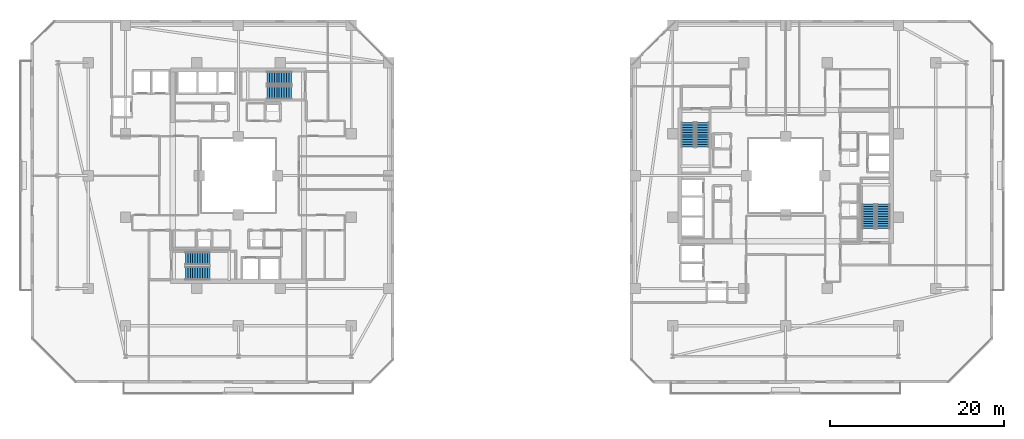
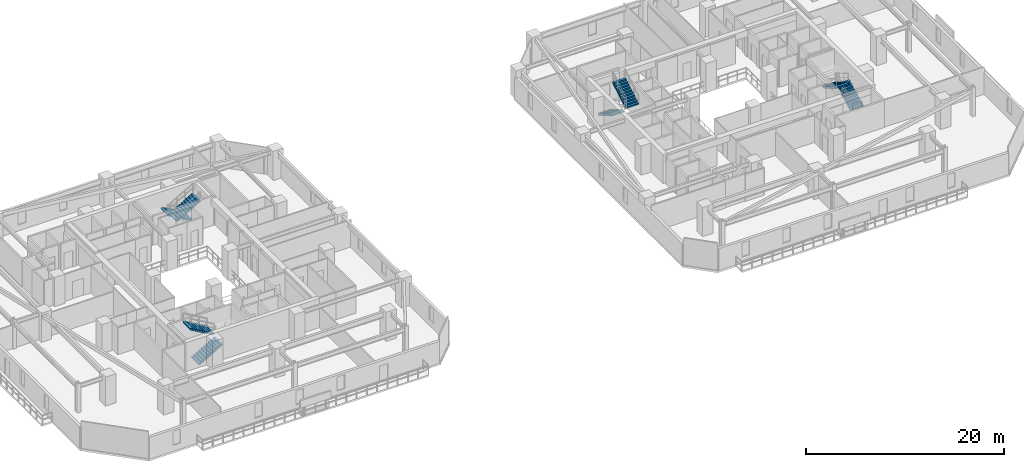
# One storey, part 26 of 33: 8 stair flights, 4 elements without a shape of their own.
"""IFC4 building model written with IfcOpenShell, lengths in metres."""

from ifc_helpers import new_model, si_unit, direction, frame, origin, place, context, subcontext, project, spatial, polyline, outline, extrude, material, type_object, element, aggregate, save


model = new_model("IFC4")

# Units and contexts
model_context = context("Model", 3, precision=1e-05, world=origin(), true_north=direction((0.0, 1.0)))
body_context = subcontext(model_context, "Body", "Model", "MODEL_VIEW")
ifc_project = project(units=[si_unit("LENGTHUNIT", "METRE"), si_unit("AREAUNIT", "SQUARE_METRE"), si_unit("VOLUMEUNIT", "CUBIC_METRE"), si_unit("PLANEANGLEUNIT", "RADIAN"), si_unit("MASSUNIT", "GRAM", prefix="KILO")], contexts=[model_context])

# Site, building, storey
site_placement = place(None, origin())
site = spatial("IfcSite", under=ifc_project, at=site_placement, CompositionType="ELEMENT")
building_placement = place(site_placement, origin())
building = spatial("IfcBuilding", under=site, at=building_placement, Name="Thornwick Lancets Civic Towers", CompositionType="ELEMENT")
storey_placement = place(building_placement, frame((0.0, 0.0, 134.10009765625)))
storey = spatial("IfcBuildingStorey", under=building, at=storey_placement, Name="L35", CompositionType="ELEMENT", Elevation=134.10009765625)

# Stair, stair flights
ifc_material = material(Name="Concrete C40/50", Category="concrete")
stair_type = type_object("IfcStairType", Name="STAIR_DL_3600", PredefinedType="HALF_TURN_STAIR", material=ifc_material)
stair_1_placement = place(storey_placement, origin())
stair_1 = element("IfcStair", 1, at=stair_1_placement, inside=storey, type_object=stair_type, Name="L35 Tower A South Exit Stair ST-A1", PredefinedType="HALF_TURN_STAIR")
stair_flight_type = type_object("IfcStairFlightType", Name="FLIGHT_3600", PredefinedType="STRAIGHT", material=ifc_material)
stair_flight_1_placement = place(storey_placement, frame((19.39990234375, 15.75, 0.0), z_axis=(0.0, 0.0, 1.0), x_axis=(1.0, 0.0, 0.0)))
stair_flight_1 = element("IfcStairFlight", 2, at=stair_flight_1_placement, type_object=stair_flight_type, Name="ST-A1 flight 1", NumberOfRisers=11, NumberOfTreads=10, PredefinedType="STRAIGHT", RiserHeight=0.163636364, TreadLength=0.28, context=body_context, shape_type="SweptSolid", body=[
    extrude(outline(polyline([(0.0, 0.0), (0.0, 0.16357421875), (0.280029296875, 0.16357421875), (0.280029296875, 0.327392578125), (0.56005859375, 0.327392578125), (0.56005859375, 0.490966796875), (0.840087890625, 0.490966796875), (0.840087890625, 0.654541015625), (1.1201171875, 0.654541015625), (1.1201171875, 0.818115234375), (1.39990234375, 0.818115234375), (1.39990234375, 0.98193359375), (1.679931640625, 0.98193359375), (1.679931640625, 1.1455078125), (1.9599609375, 1.1455078125), (1.9599609375, 1.30908203125), (2.239990234375, 1.30908203125), (2.239990234375, 1.47265625), (2.52001953125, 1.47265625), (2.52001953125, 1.636474609375), (2.800048828125, 1.636474609375), (2.800048828125, 1.800048828125), (2.800048828125, 1.462646484375), (0.297119140625, 0.0), (0.0, 0.0)])), frame((0.0, 0.75, 0.0), z_axis=(0.0, -1.0, 0.0), x_axis=(1.0, 0.0, 0.0)), (0.0, 0.0, 1.0), 1.5),
])
stair_flight_2_placement = place(storey_placement, frame((22.199951171875, 17.449951171875, 1.7998046875), z_axis=(0.0, 0.0, 1.0), x_axis=(-1.0, 0.0, 0.0)))
stair_flight_2 = element("IfcStairFlight", 3, at=stair_flight_2_placement, type_object=stair_flight_type, Name="ST-A1 flight 2", NumberOfRisers=11, NumberOfTreads=10, PredefinedType="STRAIGHT", RiserHeight=0.163636364, TreadLength=0.28, context=body_context, shape_type="SweptSolid", body=[
    extrude(outline(polyline([(0.0, 0.0), (0.0, 0.16357421875), (0.280029296875, 0.16357421875), (0.280029296875, 0.327392578125), (0.56005859375, 0.327392578125), (0.56005859375, 0.490966796875), (0.840087890625, 0.490966796875), (0.840087890625, 0.654541015625), (1.1201171875, 0.654541015625), (1.1201171875, 0.818115234375), (1.39990234375, 0.818115234375), (1.39990234375, 0.98193359375), (1.679931640625, 0.98193359375), (1.679931640625, 1.1455078125), (1.9599609375, 1.1455078125), (1.9599609375, 1.30908203125), (2.239990234375, 1.30908203125), (2.239990234375, 1.47265625), (2.52001953125, 1.47265625), (2.52001953125, 1.636474609375), (2.800048828125, 1.636474609375), (2.800048828125, 1.800048828125), (2.800048828125, 1.462646484375), (0.297119140625, 0.0), (0.0, 0.0)])), frame((0.0, 0.75, 0.0), z_axis=(0.0, -1.0, 0.0), x_axis=(1.0, 0.0, 0.0)), (0.0, 0.0, 1.0), 1.5),
])
aggregate(stair_1, [stair_flight_1, stair_flight_2])

stair_2_placement = place(storey_placement, origin())
stair_2 = element("IfcStair", 4, at=stair_2_placement, inside=storey, type_object=stair_type, Name="L35 Tower A North Exit Stair ST-A2", PredefinedType="HALF_TURN_STAIR")
stair_flight_3_placement = place(storey_placement, frame((31.60009765625, 38.25, 0.0), z_axis=(0.0, 0.0, 1.0), x_axis=(-1.0, 0.0, 0.0)))
stair_flight_3 = element("IfcStairFlight", 5, at=stair_flight_3_placement, type_object=stair_flight_type, Name="ST-A2 flight 1", NumberOfRisers=11, NumberOfTreads=10, PredefinedType="STRAIGHT", RiserHeight=0.163636364, TreadLength=0.28, context=body_context, shape_type="SweptSolid", body=[
    extrude(outline(polyline([(0.0, 0.0), (0.0, 0.16357421875), (0.280029296875, 0.16357421875), (0.280029296875, 0.327392578125), (0.56005859375, 0.327392578125), (0.56005859375, 0.490966796875), (0.840087890625, 0.490966796875), (0.840087890625, 0.654541015625), (1.1201171875, 0.654541015625), (1.1201171875, 0.818115234375), (1.39990234375, 0.818115234375), (1.39990234375, 0.98193359375), (1.679931640625, 0.98193359375), (1.679931640625, 1.1455078125), (1.9599609375, 1.1455078125), (1.9599609375, 1.30908203125), (2.239990234375, 1.30908203125), (2.239990234375, 1.47265625), (2.52001953125, 1.47265625), (2.52001953125, 1.636474609375), (2.800048828125, 1.636474609375), (2.800048828125, 1.800048828125), (2.800048828125, 1.462646484375), (0.297119140625, 0.0), (0.0, 0.0)])), frame((0.0, 0.75, 0.0), z_axis=(0.0, -1.0, 0.0), x_axis=(1.0, 0.0, 0.0)), (0.0, 0.0, 1.0), 1.5),
])
stair_flight_4_placement = place(storey_placement, frame((28.800048828125, 36.550048828125, 1.7998046875), z_axis=(0.0, 0.0, 1.0), x_axis=(1.0, 0.0, 0.0)))
stair_flight_4 = element("IfcStairFlight", 6, at=stair_flight_4_placement, type_object=stair_flight_type, Name="ST-A2 flight 2", NumberOfRisers=11, NumberOfTreads=10, PredefinedType="STRAIGHT", RiserHeight=0.163636364, TreadLength=0.28, context=body_context, shape_type="SweptSolid", body=[
    extrude(outline(polyline([(0.0, 0.0), (0.0, 0.16357421875), (0.280029296875, 0.16357421875), (0.280029296875, 0.327392578125), (0.56005859375, 0.327392578125), (0.56005859375, 0.490966796875), (0.840087890625, 0.490966796875), (0.840087890625, 0.654541015625), (1.1201171875, 0.654541015625), (1.1201171875, 0.818115234375), (1.39990234375, 0.818115234375), (1.39990234375, 0.98193359375), (1.679931640625, 0.98193359375), (1.679931640625, 1.1455078125), (1.9599609375, 1.1455078125), (1.9599609375, 1.30908203125), (2.239990234375, 1.30908203125), (2.239990234375, 1.47265625), (2.52001953125, 1.47265625), (2.52001953125, 1.636474609375), (2.800048828125, 1.636474609375), (2.800048828125, 1.800048828125), (2.800048828125, 1.462646484375), (0.297119140625, 0.0), (0.0, 0.0)])), frame((0.0, 0.75, 0.0), z_axis=(0.0, -1.0, 0.0), x_axis=(1.0, 0.0, 0.0)), (0.0, 0.0, 1.0), 1.5),
])
aggregate(stair_2, [stair_flight_3, stair_flight_4])

stair_3_placement = place(storey_placement, origin())
stair_3 = element("IfcStair", 7, at=stair_3_placement, inside=storey, type_object=stair_type, Name="L35 Tower B East Exit Stair ST-B1", PredefinedType="HALF_TURN_STAIR")
stair_flight_5_placement = place(storey_placement, frame((99.75, 20.89990234375, 0.0), z_axis=(0.0, 0.0, 1.0), x_axis=(0.0, 1.0, 0.0)))
stair_flight_5 = element("IfcStairFlight", 8, at=stair_flight_5_placement, type_object=stair_flight_type, Name="ST-B1 flight 1", NumberOfRisers=11, NumberOfTreads=10, PredefinedType="STRAIGHT", RiserHeight=0.163636364, TreadLength=0.28, context=body_context, shape_type="SweptSolid", body=[
    extrude(outline(polyline([(0.0, 0.0), (0.0, 0.16357421875), (0.280029296875, 0.16357421875), (0.280029296875, 0.327392578125), (0.56005859375, 0.327392578125), (0.56005859375, 0.490966796875), (0.840087890625, 0.490966796875), (0.840087890625, 0.654541015625), (1.1201171875, 0.654541015625), (1.1201171875, 0.818115234375), (1.39990234375, 0.818115234375), (1.39990234375, 0.98193359375), (1.679931640625, 0.98193359375), (1.679931640625, 1.1455078125), (1.9599609375, 1.1455078125), (1.9599609375, 1.30908203125), (2.239990234375, 1.30908203125), (2.239990234375, 1.47265625), (2.52001953125, 1.47265625), (2.52001953125, 1.636474609375), (2.800048828125, 1.636474609375), (2.800048828125, 1.800048828125), (2.800048828125, 1.462646484375), (0.297119140625, 0.0), (0.0, 0.0)])), frame((0.0, 0.75, 0.0), z_axis=(0.0, -1.0, 0.0), x_axis=(1.0, 0.0, 0.0)), (0.0, 0.0, 1.0), 1.5),
])
stair_flight_6_placement = place(storey_placement, frame((98.050048828125, 23.699951171875, 1.7998046875), z_axis=(0.0, 0.0, 1.0), x_axis=(0.0, -1.0, 0.0)))
stair_flight_6 = element("IfcStairFlight", 9, at=stair_flight_6_placement, type_object=stair_flight_type, Name="ST-B1 flight 2", NumberOfRisers=11, NumberOfTreads=10, PredefinedType="STRAIGHT", RiserHeight=0.163636364, TreadLength=0.28, context=body_context, shape_type="SweptSolid", body=[
    extrude(outline(polyline([(0.0, 0.0), (0.0, 0.16357421875), (0.280029296875, 0.16357421875), (0.280029296875, 0.327392578125), (0.56005859375, 0.327392578125), (0.56005859375, 0.490966796875), (0.840087890625, 0.490966796875), (0.840087890625, 0.654541015625), (1.1201171875, 0.654541015625), (1.1201171875, 0.818115234375), (1.39990234375, 0.818115234375), (1.39990234375, 0.98193359375), (1.679931640625, 0.98193359375), (1.679931640625, 1.1455078125), (1.9599609375, 1.1455078125), (1.9599609375, 1.30908203125), (2.239990234375, 1.30908203125), (2.239990234375, 1.47265625), (2.52001953125, 1.47265625), (2.52001953125, 1.636474609375), (2.800048828125, 1.636474609375), (2.800048828125, 1.800048828125), (2.800048828125, 1.462646484375), (0.297119140625, 0.0), (0.0, 0.0)])), frame((0.0, 0.75, 0.0), z_axis=(0.0, -1.0, 0.0), x_axis=(1.0, 0.0, 0.0)), (0.0, 0.0, 1.0), 1.5),
])
aggregate(stair_3, [stair_flight_5, stair_flight_6])

stair_4_placement = place(storey_placement, origin())
stair_4 = element("IfcStair", 10, at=stair_4_placement, inside=storey, type_object=stair_type, Name="L35 Tower B West Exit Stair ST-B2", PredefinedType="HALF_TURN_STAIR")
stair_flight_7_placement = place(storey_placement, frame((77.25, 33.10009765625, 0.0), z_axis=(0.0, 0.0, 1.0), x_axis=(0.0, -1.0, 0.0)))
stair_flight_7 = element("IfcStairFlight", 11, at=stair_flight_7_placement, type_object=stair_flight_type, Name="ST-B2 flight 1", NumberOfRisers=11, NumberOfTreads=10, PredefinedType="STRAIGHT", RiserHeight=0.163636364, TreadLength=0.28, context=body_context, shape_type="SweptSolid", body=[
    extrude(outline(polyline([(0.0, 0.0), (0.0, 0.16357421875), (0.280029296875, 0.16357421875), (0.280029296875, 0.327392578125), (0.56005859375, 0.327392578125), (0.56005859375, 0.490966796875), (0.840087890625, 0.490966796875), (0.840087890625, 0.654541015625), (1.1201171875, 0.654541015625), (1.1201171875, 0.818115234375), (1.39990234375, 0.818115234375), (1.39990234375, 0.98193359375), (1.679931640625, 0.98193359375), (1.679931640625, 1.1455078125), (1.9599609375, 1.1455078125), (1.9599609375, 1.30908203125), (2.239990234375, 1.30908203125), (2.239990234375, 1.47265625), (2.52001953125, 1.47265625), (2.52001953125, 1.636474609375), (2.800048828125, 1.636474609375), (2.800048828125, 1.800048828125), (2.800048828125, 1.462646484375), (0.297119140625, 0.0), (0.0, 0.0)])), frame((0.0, 0.75, 0.0), z_axis=(0.0, -1.0, 0.0), x_axis=(1.0, 0.0, 0.0)), (0.0, 0.0, 1.0), 1.5),
])
stair_flight_8_placement = place(storey_placement, frame((78.949951171875, 30.300048828125, 1.7998046875), z_axis=(0.0, 0.0, 1.0), x_axis=(0.0, 1.0, 0.0)))
stair_flight_8 = element("IfcStairFlight", 12, at=stair_flight_8_placement, type_object=stair_flight_type, Name="ST-B2 flight 2", NumberOfRisers=11, NumberOfTreads=10, PredefinedType="STRAIGHT", RiserHeight=0.163636364, TreadLength=0.28, context=body_context, shape_type="SweptSolid", body=[
    extrude(outline(polyline([(0.0, 0.0), (0.0, 0.16357421875), (0.280029296875, 0.16357421875), (0.280029296875, 0.327392578125), (0.56005859375, 0.327392578125), (0.56005859375, 0.490966796875), (0.840087890625, 0.490966796875), (0.840087890625, 0.654541015625), (1.1201171875, 0.654541015625), (1.1201171875, 0.818115234375), (1.39990234375, 0.818115234375), (1.39990234375, 0.98193359375), (1.679931640625, 0.98193359375), (1.679931640625, 1.1455078125), (1.9599609375, 1.1455078125), (1.9599609375, 1.30908203125), (2.239990234375, 1.30908203125), (2.239990234375, 1.47265625), (2.52001953125, 1.47265625), (2.52001953125, 1.636474609375), (2.800048828125, 1.636474609375), (2.800048828125, 1.800048828125), (2.800048828125, 1.462646484375), (0.297119140625, 0.0), (0.0, 0.0)])), frame((0.0, 0.75, 0.0), z_axis=(0.0, -1.0, 0.0), x_axis=(1.0, 0.0, 0.0)), (0.0, 0.0, 1.0), 1.5),
])
aggregate(stair_4, [stair_flight_7, stair_flight_8])

save(model, "model.ifc")
